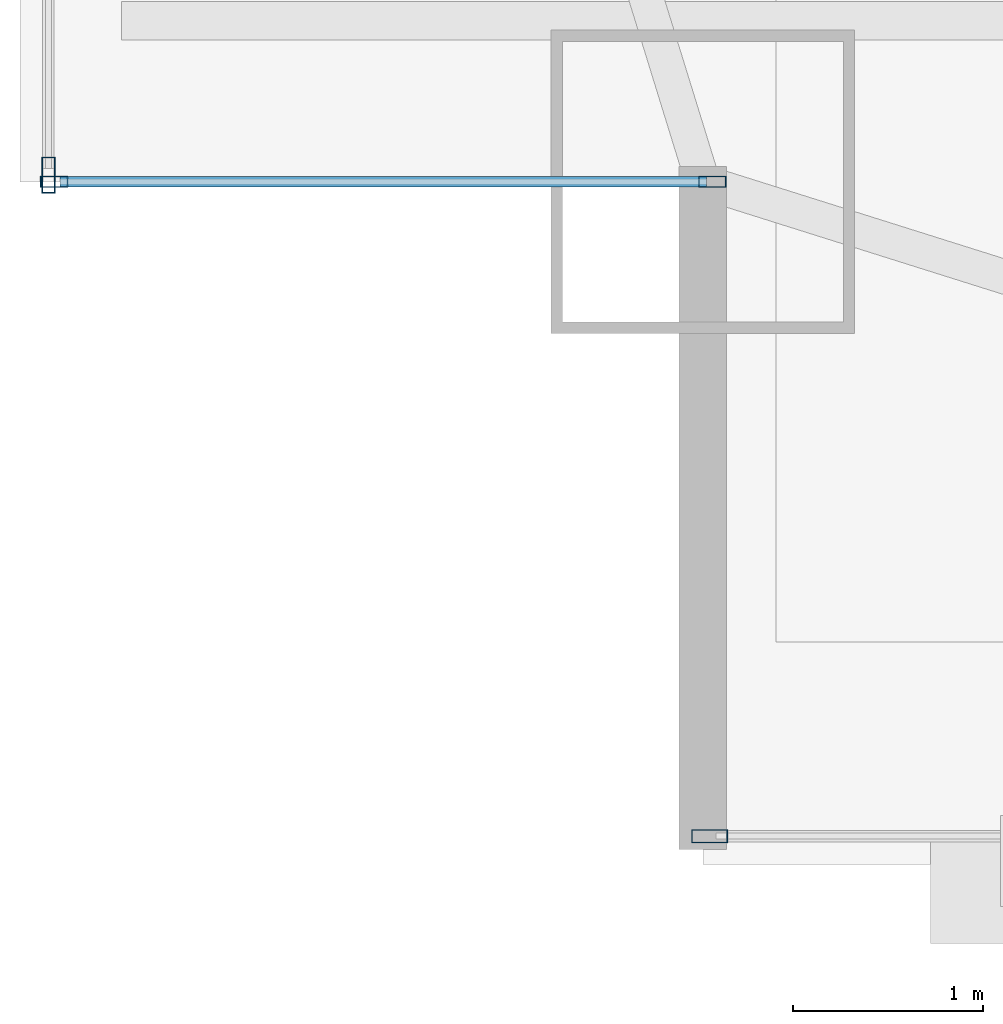
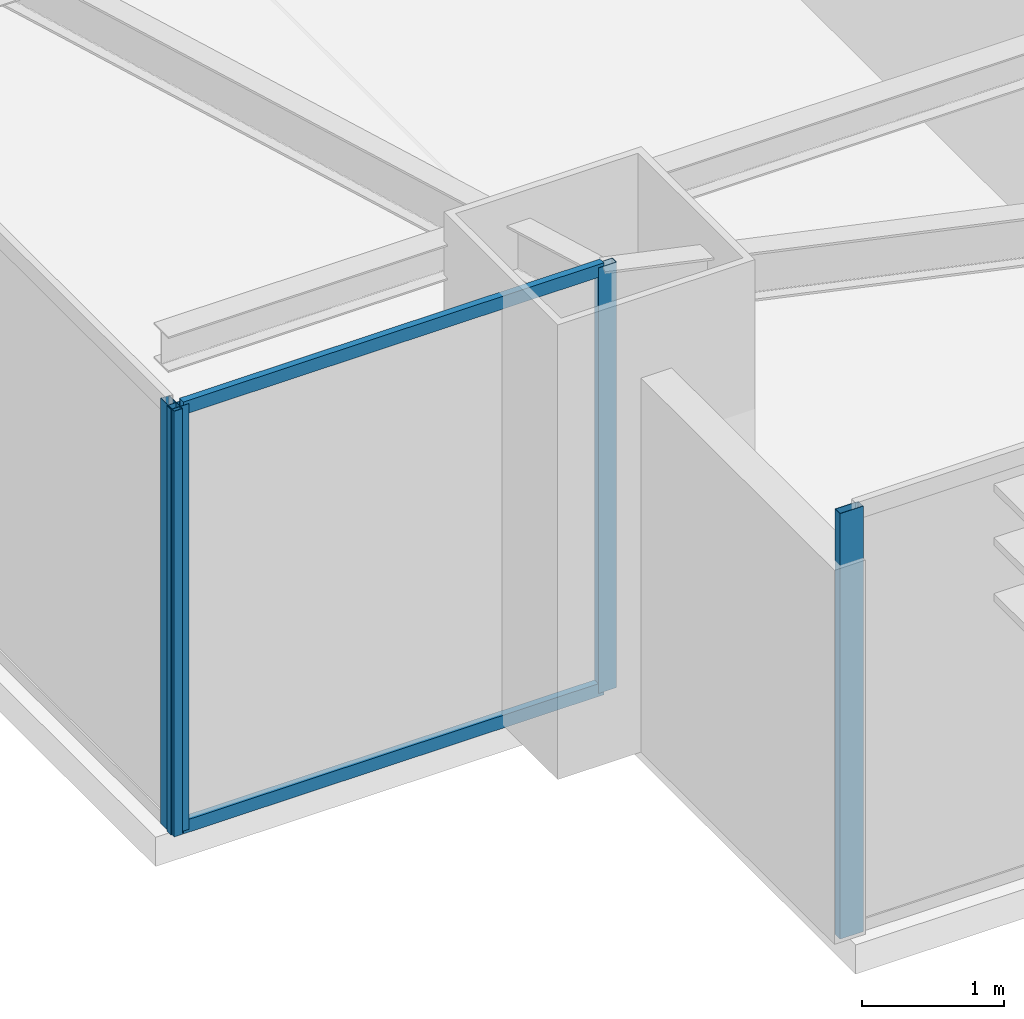
# One storey, part 3 of 29: 6 members, 3 elements without a shape of their own.
"""IFC4 building model written with IfcOpenShell, lengths in metres."""

from ifc_helpers import new_model, si_unit, direction, frame, origin, origin_2d, place, context, subcontext, project, spatial, hollow_rectangle, extrude, source, transform, mapped, material, layer, layer_set, material_profile, profile_set, type_object, type_shapes, element, aggregate, save


model = new_model("IFC4")

# Units and contexts
model_context = context("Model", 3, precision=1e-05, world=origin(), true_north=direction((0.0, 1.0)))
body_context = subcontext(model_context, "Body", "Model", "MODEL_VIEW")
ifc_project = project(units=[si_unit("LENGTHUNIT", "METRE"), si_unit("AREAUNIT", "SQUARE_METRE"), si_unit("VOLUMEUNIT", "CUBIC_METRE"), si_unit("PLANEANGLEUNIT", "RADIAN"), si_unit("MASSUNIT", "GRAM", prefix="KILO")], contexts=[model_context])

# Site, building, storey
site_placement = place(None, origin())
site = spatial("IfcSite", under=ifc_project, at=site_placement, CompositionType="ELEMENT")
building_placement = place(site_placement, origin())
building = spatial("IfcBuilding", under=site, at=building_placement, Name="Varnel Quay Broadcast Tower", CompositionType="ELEMENT")
storey_placement = place(building_placement, frame((0.0, 0.0, 74.39990234375)))
storey = spatial("IfcBuildingStorey", under=building, at=storey_placement, Name="L17", CompositionType="ELEMENT", Elevation=74.39990234375)

# Curtain wall, members
ifc_material = material(Name="Anodised Bronze Aluminium 6063-T6", Category="aluminium")
ifc_layer_1 = layer(ifc_material, 0.18994140625, Name="Anodised Bronze Aluminium 6063-T6")
ifc_layer_set_1 = layer_set([ifc_layer_1], Name="Anodised Bronze Aluminium 6063-T6")
curtain_wall_type_1 = type_object("IfcCurtainWallType", Name="CW_NotchCorner", PredefinedType="NOTDEFINED", material=ifc_layer_set_1)
curtain_wall_1_placement = place(storey_placement, origin())
curtain_wall_1 = element("IfcCurtainWall", 1, at=curtain_wall_1_placement, inside=storey, type_object=curtain_wall_type_1, Name="L17 SW Notch Curtain Wall", PredefinedType="NOTDEFINED")
ifc_material_profile_1 = material_profile(ifc_material, hollow_rectangle(XDim=0.054931640625, YDim=0.110107421875, WallThickness=0.0029296875, at=origin_2d()), Name="ALU55X110X3")
ifc_profile_set_1 = profile_set([ifc_material_profile_1], Name="Anodised Bronze Aluminium 6063-T6")
member_type_1 = type_object("IfcMemberType", Name="Tran_CWS-04", PredefinedType="USERDEFINED", material=ifc_profile_set_1)
shared_shape_1 = source(origin(), body_context, "Body", "SweptSolid", [
    extrude(hollow_rectangle(XDim=0.054931640625, YDim=0.110107421875, WallThickness=0.0029296875, at=origin_2d()), origin(), (0.0, 0.0, 1.0), 3.41015625),
])
type_shapes(member_type_1, [shared_shape_1])
member_1_placement = place(storey_placement, frame((2.2099609375, 4.800048828125, 0.027587890625), z_axis=(1.0, 0.0, 0.0), x_axis=(0.0, 1.0, 0.0)))
member_1 = element("IfcMember", 2, at=member_1_placement, type_object=member_type_1, Name="CWS-04 transom 1.1", ObjectType="TRANSOM", PredefinedType="USERDEFINED", context=body_context, shape_type="MappedRepresentation", body=[
    mapped(shared_shape_1, transform((0.0, 0.0, 0.0), x_axis=(1.0, 0.0, 0.0), y_axis=(0.0, 1.0, 0.0), z_axis=(0.0, 0.0, 1.0), scale=1.0)),
])
member_2_placement = place(storey_placement, frame((2.2099609375, 4.800048828125, 3.62255859375), z_axis=(1.0, 0.0, 0.0), x_axis=(0.0, 1.0, 0.0)))
member_2 = element("IfcMember", 3, at=member_2_placement, type_object=member_type_1, Name="CWS-04 transom 1.2", ObjectType="TRANSOM", PredefinedType="USERDEFINED", context=body_context, shape_type="MappedRepresentation", body=[
    mapped(shared_shape_1, transform((0.0, 0.0, 0.0), x_axis=(1.0, 0.0, 0.0), y_axis=(0.0, 1.0, 0.0), z_axis=(0.0, 0.0, 1.0), scale=1.0)),
])

# Curtain wall, member
ifc_layer_2 = layer(ifc_material, 0.18994140625, Name="Anodised Bronze Aluminium 6063-T6")
ifc_layer_set_2 = layer_set([ifc_layer_2], Name="Anodised Bronze Aluminium 6063-T6")
curtain_wall_type_2 = type_object("IfcCurtainWallType", Name="CW_LowerTower", PredefinedType="NOTDEFINED", material=ifc_layer_set_2)
curtain_wall_2_placement = place(storey_placement, origin())
curtain_wall_2 = element("IfcCurtainWall", 4, at=curtain_wall_2_placement, inside=storey, type_object=curtain_wall_type_2, Name="L17 South Unitised Curtain Wall 1", PredefinedType="NOTDEFINED")
ifc_material_profile_2 = material_profile(ifc_material, hollow_rectangle(XDim=0.070068359375, YDim=0.18994140625, WallThickness=0.00390625, at=origin_2d()), Name="ALU70X190X4")
ifc_profile_set_2 = profile_set([ifc_material_profile_2], Name="Anodised Bronze Aluminium 6063-T6")
member_type_2 = type_object("IfcMemberType", Name="Mull_CWS-02", PredefinedType="MULLION", material=ifc_profile_set_2)
shared_shape_2 = source(origin(), body_context, "Body", "SweptSolid", [
    extrude(hollow_rectangle(XDim=0.070068359375, YDim=0.18994140625, WallThickness=0.00390625, at=origin_2d()), origin(), (0.0, 0.0, 1.0), 3.650146484375),
])
type_shapes(member_type_2, [shared_shape_2])
member_3_placement = place(storey_placement, frame((5.635009765625, 1.35009765625, 0.0), z_axis=(0.0, 0.0, 1.0), x_axis=(0.0, 1.0, 0.0)))
member_3 = element("IfcMember", 5, at=member_3_placement, type_object=member_type_2, Name="CWS-02 mullion 1", PredefinedType="MULLION", context=body_context, shape_type="MappedRepresentation", body=[
    mapped(shared_shape_2, transform((0.0, 0.0, 0.0), x_axis=(1.0, 0.0, 0.0), y_axis=(0.0, 1.0, 0.0), z_axis=(0.0, 0.0, 1.0), scale=1.0)),
])
aggregate(curtain_wall_2, [member_3])

curtain_wall_3_placement = place(storey_placement, origin())
curtain_wall_3 = element("IfcCurtainWall", 6, at=curtain_wall_3_placement, inside=storey, type_object=curtain_wall_type_2, Name="L17 West Unitised Curtain Wall", PredefinedType="NOTDEFINED")
member_4_placement = place(storey_placement, frame((2.14990234375, 4.8349609375, 0.0), z_axis=(0.0, 0.0, 1.0), x_axis=(-1.0, 0.0, 0.0)))
member_4 = element("IfcMember", 7, at=member_4_placement, type_object=member_type_2, Name="CWS-02 mullion 1", PredefinedType="MULLION", context=body_context, shape_type="MappedRepresentation", body=[
    mapped(shared_shape_2, transform((0.0, 0.0, 0.0), x_axis=(1.0, 0.0, 0.0), y_axis=(0.0, 1.0, 0.0), z_axis=(0.0, 0.0, 1.0), scale=1.0)),
])
aggregate(curtain_wall_3, [member_4])

# Member
ifc_material_profile_3 = material_profile(ifc_material, hollow_rectangle(XDim=0.06005859375, YDim=0.14501953125, WallThickness=0.00341796875, at=origin_2d()), Name="ALU60X145X3.5")
ifc_profile_set_3 = profile_set([ifc_material_profile_3], Name="Anodised Bronze Aluminium 6063-T6")
member_type_3 = type_object("IfcMemberType", Name="Mull_CWS-04", PredefinedType="MULLION", material=ifc_profile_set_3)
shared_shape_3 = source(origin(), body_context, "Body", "SweptSolid", [
    extrude(hollow_rectangle(XDim=0.06005859375, YDim=0.14501953125, WallThickness=0.00341796875, at=origin_2d()), origin(), (0.0, 0.0, 1.0), 3.650146484375),
])
type_shapes(member_type_3, [shared_shape_3])
member_5_placement = place(storey_placement, frame((2.179931640625, 4.800048828125, 0.0), z_axis=(0.0, 0.0, 1.0), x_axis=(0.0, 1.0, 0.0)))
member_5 = element("IfcMember", 8, at=member_5_placement, type_object=member_type_3, Name="CWS-04 mullion 1", PredefinedType="MULLION", context=body_context, shape_type="MappedRepresentation", body=[
    mapped(shared_shape_3, transform((0.0, 0.0, 0.0), x_axis=(1.0, 0.0, 0.0), y_axis=(0.0, 1.0, 0.0), z_axis=(0.0, 0.0, 1.0), scale=1.0)),
])

member_6_placement = place(storey_placement, frame((5.64990234375, 4.800048828125, 0.0), z_axis=(0.0, 0.0, 1.0), x_axis=(0.0, 1.0, 0.0)))
member_6 = element("IfcMember", 9, at=member_6_placement, type_object=member_type_3, Name="CWS-04 mullion 2", PredefinedType="MULLION", context=body_context, shape_type="MappedRepresentation", body=[
    mapped(shared_shape_3, transform((0.0, 0.0, 0.0), x_axis=(1.0, 0.0, 0.0), y_axis=(0.0, 1.0, 0.0), z_axis=(0.0, 0.0, 1.0), scale=1.0)),
])

aggregate(curtain_wall_1, [member_5, member_6, member_1, member_2])

save(model, "model.ifc")
